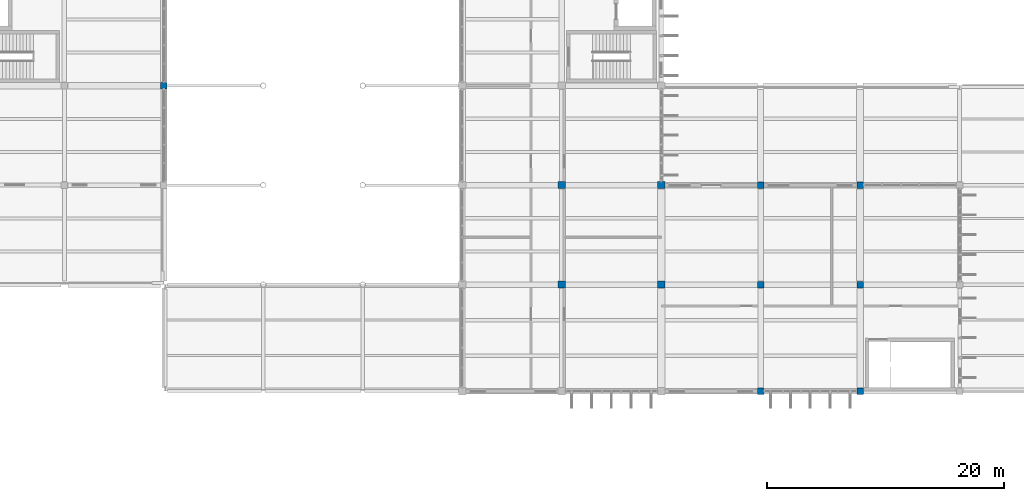
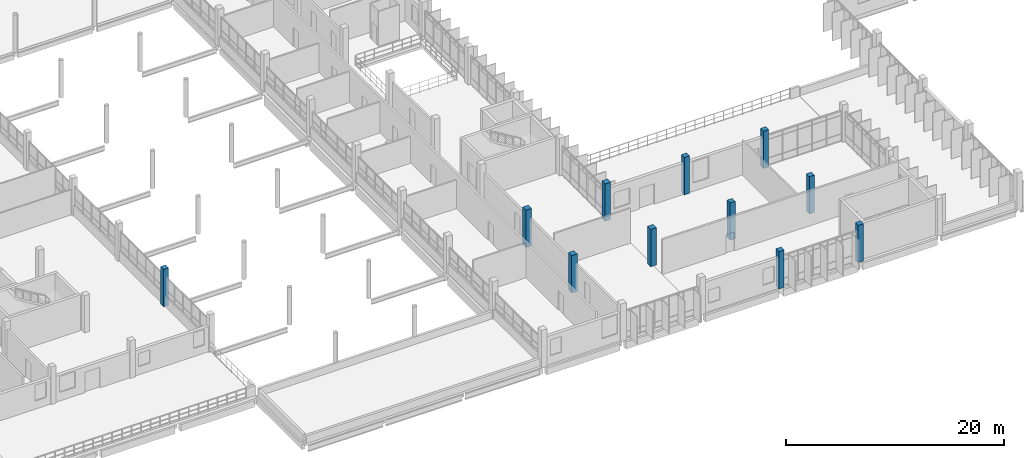
# One storey, part 3 of 130: 11 columns.
"""IFC4 building model written with IfcOpenShell, lengths in metres."""

from ifc_helpers import new_model, si_unit, direction, frame, origin, origin_2d, place, context, subcontext, project, spatial, rectangle, extrude, material, material_profile, profile_set, type_object, element, save


model = new_model("IFC4")

# Units and contexts
model_context = context("Model", 3, precision=1e-05, world=origin(), true_north=direction((0.0, 1.0)))
body_context = subcontext(model_context, "Body", "Model", "MODEL_VIEW")
ifc_project = project(units=[si_unit("LENGTHUNIT", "METRE"), si_unit("AREAUNIT", "SQUARE_METRE"), si_unit("VOLUMEUNIT", "CUBIC_METRE"), si_unit("PLANEANGLEUNIT", "RADIAN"), si_unit("MASSUNIT", "GRAM", prefix="KILO")], contexts=[model_context])

# Site, building, storey
site_placement = place(None, origin())
site = spatial("IfcSite", under=ifc_project, at=site_placement, CompositionType="ELEMENT")
building_placement = place(site_placement, origin())
building = spatial("IfcBuilding", under=site, at=building_placement, Name="Vireocrest Preparatory School", CompositionType="ELEMENT")
storey_placement = place(building_placement, frame((0.0, 0.0, 9.0)))
storey = spatial("IfcBuildingStorey", under=building, at=storey_placement, Name="L02", CompositionType="ELEMENT", Elevation=9.0)

# Columns
ifc_material = material(Name="Concrete 45 MPa", Category="concrete")
ifc_material_profile_1 = material_profile(ifc_material, rectangle(XDim=0.550048828125, YDim=0.550048828125, at=origin_2d()), Name="RC 550x550")
ifc_profile_set_1 = profile_set([ifc_material_profile_1], Name="Concrete 45 MPa")
column_type_1 = type_object("IfcColumnType", Name="RC Column 550x550", PredefinedType="COLUMN", material=ifc_profile_set_1)
for number, where, z_axis, x_axis, name in (
    (1, (67.199951171875, 43.800048828125, 0.0), (0.0, 0.0, 1.0), (1.0, 0.0, 0.0), "Column C04 L02 9/F"),
    (2, (117.60009765625, 18.0, 0.0), (0.0, 0.0, 1.0), (1.0, 0.0, 0.0), "Column C04 L02 15/C"),
    (3, (117.60009765625, 27.0, 0.0), (0.0, 0.0, 1.0), (1.0, 0.0, 0.0), "Column C04 L02 15/D"),
    (4, (117.60009765625, 35.39990234375, 0.0), (0.0, 0.0, 1.0), (1.0, 0.0, 0.0), "Column C04 L02 15/E"),
    (5, (126.0, 18.0, 0.0), (0.0, 0.0, 1.0), (1.0, 0.0, 0.0), "Column C04 L02 16/C"),
    (6, (126.0, 27.0, 0.0), (0.0, 0.0, 1.0), (1.0, 0.0, 0.0), "Column C04 L02 16/D"),
    (7, (126.0, 35.39990234375, 0.0), (0.0, 0.0, 1.0), (1.0, 0.0, 0.0), "Column C04 L02 16/E"),
):
    element("IfcColumn", number, at=place(storey_placement, frame(where, z_axis=z_axis, x_axis=x_axis)), inside=storey, type_object=column_type_1, Name=name, PredefinedType="COLUMN", context=body_context, shape_type="SweptSolid", body=[
        extrude(rectangle(XDim=0.550048828125, YDim=0.550048828125, at=origin_2d()), origin(), (0.0, 0.0, 1.0), 4.199951171875),
    ])
ifc_material_profile_2 = material_profile(ifc_material, rectangle(XDim=0.60009765625, YDim=0.60009765625, at=origin_2d()), Name="RC 600x600")
ifc_profile_set_2 = profile_set([ifc_material_profile_2], Name="Concrete 45 MPa")
column_type_2 = type_object("IfcColumnType", Name="RC Column 600x600", PredefinedType="COLUMN", material=ifc_profile_set_2)
for number, where, z_axis, x_axis, name in (
    (8, (100.800048828125, 27.0, 0.0), (0.0, 0.0, 1.0), (1.0, 0.0, 0.0), "Column C05 L02 13/D"),
    (9, (100.800048828125, 35.39990234375, 0.0), (0.0, 0.0, 1.0), (1.0, 0.0, 0.0), "Column C05 L02 13/E"),
    (10, (109.199951171875, 27.0, 0.0), (0.0, 0.0, 1.0), (1.0, 0.0, 0.0), "Column C05 L02 14/D"),
    (11, (109.199951171875, 35.39990234375, 0.0), (0.0, 0.0, 1.0), (1.0, 0.0, 0.0), "Column C05 L02 14/E"),
):
    element("IfcColumn", number, at=place(storey_placement, frame(where, z_axis=z_axis, x_axis=x_axis)), inside=storey, type_object=column_type_2, Name=name, PredefinedType="COLUMN", context=body_context, shape_type="SweptSolid", body=[
        extrude(rectangle(XDim=0.60009765625, YDim=0.60009765625, at=origin_2d()), origin(), (0.0, 0.0, 1.0), 4.199951171875),
    ])

save(model, "model.ifc")
